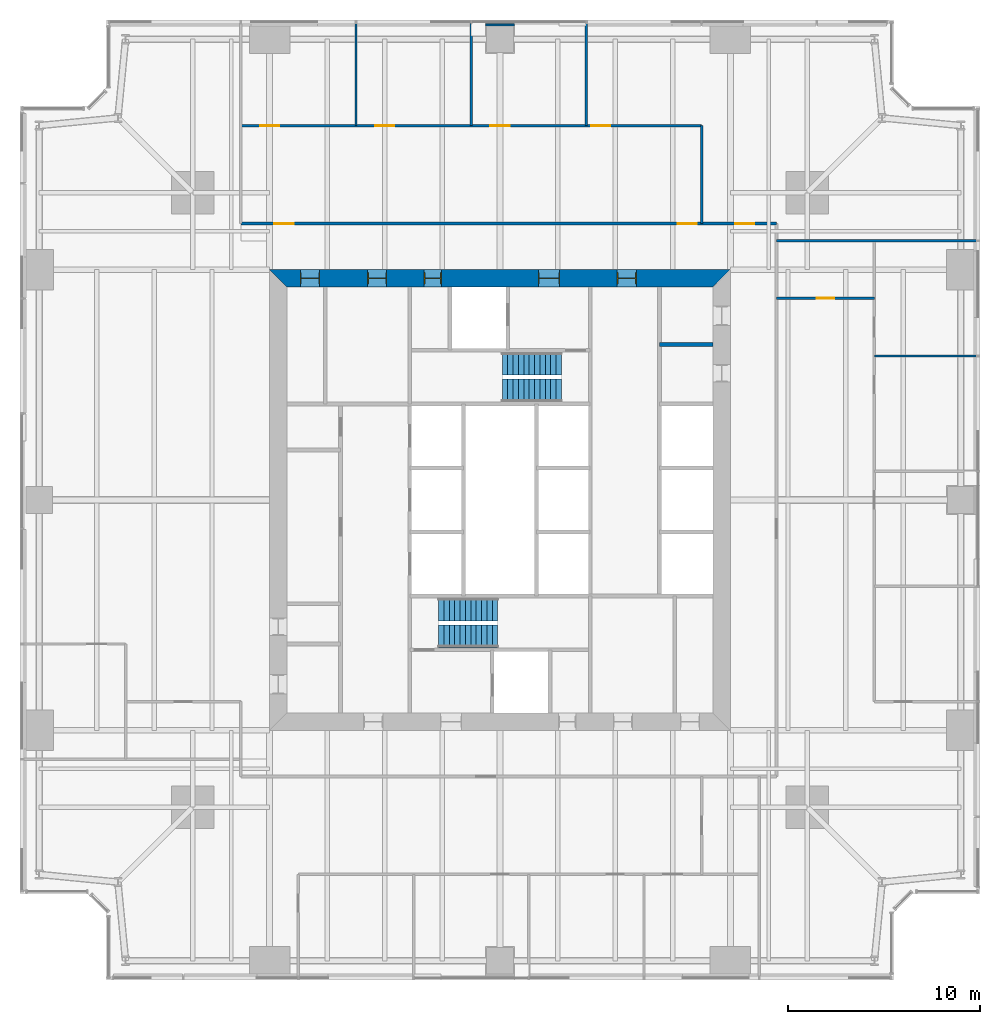
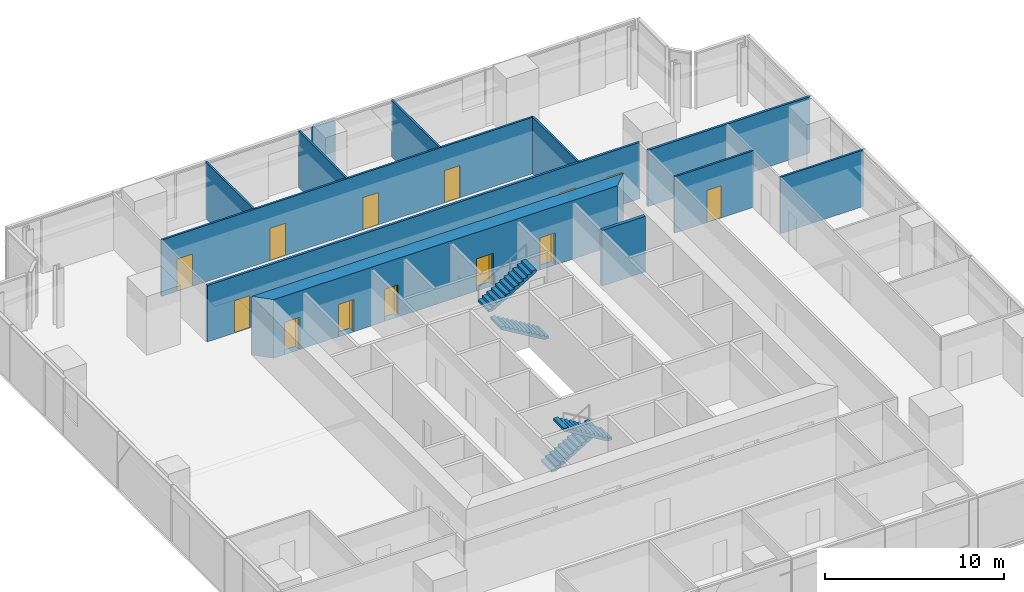
# One storey, part 11 of 13: 13 doors, 12 walls, 4 stair flights, 13 openings, 2 elements without a shape of their own.
"""IFC4 building model written with IfcOpenShell, lengths in metres."""

from ifc_helpers import new_model, si_unit, direction, frame, frame_2d, origin, place, context, subcontext, project, spatial, polyline, rectangle, outline, extrude, material, layer, layer_set, type_object, element, fill, aggregate, save


model = new_model("IFC4")

# Units and contexts
model_context = context("Model", 3, precision=1e-05, world=origin(), true_north=direction((0.0, 1.0)))
body_context = subcontext(model_context, "Body", "Model", "MODEL_VIEW")
ifc_project = project(units=[si_unit("LENGTHUNIT", "METRE"), si_unit("AREAUNIT", "SQUARE_METRE"), si_unit("VOLUMEUNIT", "CUBIC_METRE"), si_unit("PLANEANGLEUNIT", "RADIAN"), si_unit("MASSUNIT", "GRAM", prefix="KILO")], contexts=[model_context])

# Site, building, storey
site_placement = place(None, origin())
site = spatial("IfcSite", under=ifc_project, at=site_placement, CompositionType="ELEMENT")
building_placement = place(site_placement, origin())
building = spatial("IfcBuilding", under=site, at=building_placement, Name="Fenwick Lantern Interchange", CompositionType="ELEMENT")
storey_placement = place(building_placement, frame((0.0, 0.0, 102.39990234375)))
storey = spatial("IfcBuildingStorey", under=building, at=storey_placement, Name="L23", CompositionType="ELEMENT", Elevation=102.39990234375)

# Walls
ifc_material_1 = material(Name="Fire-rated gypsum board encasement on steel studs, 2 hour", Category="steel")
ifc_layer_1 = layer(ifc_material_1, 1.5)
ifc_layer_set_1 = layer_set([ifc_layer_1], Name="COLUMN PIER 1500")
wall_type_1 = type_object("IfcWallType", Name="COLUMN PIER 1500", PredefinedType="PARTITIONING", material=ifc_layer_set_1)
wall_1_placement = place(storey_placement, frame((25.0, 49.800048828125, 0.0), z_axis=(0.0, 0.0, 1.0), x_axis=(0.0, -1.0, 0.0)))
element("IfcWall", 1, at=wall_1_placement, inside=storey, type_object=wall_type_1, Name="L23/W/PIER/CN3", PredefinedType="PARTITIONING", context=body_context, shape_type="SweptSolid", body=[
    extrude(rectangle(XDim=0.10009765625, YDim=1.5, at=frame_2d((0.050048828125, 0.0))), origin(), (0.0, 0.0, 1.0), 3.85009765625),
])
ifc_material_2 = material(Name="Concrete masonry ASTM C90 Grade N", Category="masonry")
ifc_layer_2 = layer(ifc_material_2, 0.199951171875)
ifc_layer_set_2 = layer_set([ifc_layer_2], Name="Concrete masonry ASTM C90 Grade N")
wall_type_2 = type_object("IfcWallType", Name="CORE PARTITION 200", PredefinedType="PARTITIONING", material=ifc_layer_set_2)
wall_2_placement = place(storey_placement, frame((36.10009765625, 33.10009765625, 0.0), z_axis=(0.0, 0.0, 1.0), x_axis=(-1.0, 0.0, 0.0)))
element("IfcWall", 2, at=wall_2_placement, inside=storey, type_object=wall_type_2, Name="L23/W/COREN/p1", PredefinedType="PARTITIONING", context=body_context, shape_type="SweptSolid", body=[
    extrude(rectangle(XDim=2.800048828125, YDim=0.199951171875, at=frame_2d((1.39990234375, 0.0))), origin(), (0.0, 0.0, 1.0), 3.800048828125),
])

# Wall, openings, doors
ifc_material_3 = material(Name="Concrete f'c 70 MPa", Category="concrete")
ifc_layer_3 = layer(ifc_material_3, 0.89990234375)
ifc_layer_set_3 = layer_set([ifc_layer_3], Name="CORE WALL 900")
wall_type_3 = type_object("IfcWallType", Name="CORE WALL 900", PredefinedType="SHEAR", material=ifc_layer_set_3)
wall_3_placement = place(storey_placement, frame((37.0, 36.550048828125, 0.0), z_axis=(0.0, 0.0, 1.0), x_axis=(-1.0, 0.0, 0.0)))
wall_3 = element("IfcWall", 3, at=wall_3_placement, inside=storey, type_object=wall_type_3, Name="L23/CORE/N", PredefinedType="SHEAR", context=body_context, shape_type="SweptSolid", body=[
    extrude(outline(polyline([(0.0, -0.449951171875), (24.0, -0.449951171875), (23.10009765625, 0.449951171875), (0.89990234375, 0.449951171875), (0.0, -0.449951171875)])), origin(), (0.0, 0.0, 1.0), 4.0),
])
opening_1_placement = place(wall_3_placement, frame((4.89990234375, 0.0, 0.0)))
opening_1 = element("IfcOpeningElement", 4, at=opening_1_placement, cuts=wall_3, Name="Opening L23-D011", PredefinedType="OPENING", context=body_context, shape_type="SweptSolid", body=[
    extrude(rectangle(XDim=1.0, YDim=2.199951171875, at=frame_2d((0.5, 1.10009765625))), frame((0.0, 0.4599609375, 0.0), z_axis=(0.0, -1.0, 0.0), x_axis=(1.0, 0.0, 0.0)), (0.0, 0.0, 1.0), 0.919921875),
])
opening_2_placement = place(wall_3_placement, frame((8.89990234375, 0.0, 0.0)))
opening_2 = element("IfcOpeningElement", 5, at=opening_2_placement, cuts=wall_3, Name="Opening L23-D012", PredefinedType="OPENING", context=body_context, shape_type="SweptSolid", body=[
    extrude(rectangle(XDim=1.10009765625, YDim=2.199951171875, at=frame_2d((0.550048828125, 1.10009765625))), frame((0.0, 0.4599609375, 0.0), z_axis=(0.0, -1.0, 0.0), x_axis=(1.0, 0.0, 0.0)), (0.0, 0.0, 1.0), 0.919921875),
])
opening_3_placement = place(wall_3_placement, frame((15.050048828125, 0.0, 0.0)))
opening_3 = element("IfcOpeningElement", 6, at=opening_3_placement, cuts=wall_3, Name="Opening L23-D014", PredefinedType="OPENING", context=body_context, shape_type="SweptSolid", body=[
    extrude(rectangle(XDim=0.89990234375, YDim=2.199951171875, at=frame_2d((0.449951171875, 1.10009765625))), frame((0.0, 0.4599609375, 0.0), z_axis=(0.0, -1.0, 0.0), x_axis=(1.0, 0.0, 0.0)), (0.0, 0.0, 1.0), 0.919921875),
])
opening_4_placement = place(wall_3_placement, frame((17.89990234375, 0.0, 0.0)))
opening_4 = element("IfcOpeningElement", 7, at=opening_4_placement, cuts=wall_3, Name="Opening L23-D015", PredefinedType="OPENING", context=body_context, shape_type="SweptSolid", body=[
    extrude(rectangle(XDim=1.0, YDim=2.199951171875, at=frame_2d((0.5, 1.10009765625))), frame((0.0, 0.4599609375, 0.0), z_axis=(0.0, -1.0, 0.0), x_axis=(1.0, 0.0, 0.0)), (0.0, 0.0, 1.0), 0.919921875),
])
opening_5_placement = place(wall_3_placement, frame((21.39990234375, 0.0, 0.0)))
opening_5 = element("IfcOpeningElement", 8, at=opening_5_placement, cuts=wall_3, Name="Opening L23-D016", PredefinedType="OPENING", context=body_context, shape_type="SweptSolid", body=[
    extrude(rectangle(XDim=1.0, YDim=2.199951171875, at=frame_2d((0.5, 1.10009765625))), frame((0.0, 0.4599609375, 0.0), z_axis=(0.0, -1.0, 0.0), x_axis=(1.0, 0.0, 0.0)), (0.0, 0.0, 1.0), 0.919921875),
])
ifc_material_4 = material(Name="Steel door and frame", Category="steel")
door_type_1 = type_object("IfcDoorType", Name="CORE LOBBY DOOR 1000 X 2200", OperationType="SINGLE_SWING_LEFT", PredefinedType="DOOR", material=ifc_material_4)
door_1_placement = place(opening_1_placement, origin())
door_1 = element("IfcDoor", 9, at=door_1_placement, inside=storey, type_object=door_type_1, Name="Core lobby door", OperationType="SINGLE_SWING_LEFT", OverallHeight=2.199951171875, OverallWidth=1.0, PredefinedType="DOOR", context=body_context, shape_type="SweptSolid", body=[
    extrude(rectangle(XDim=1.0, YDim=2.199951171875, at=frame_2d((0.5, 1.10009765625))), frame((0.0, 0.02490234375, 0.0), z_axis=(0.0, -1.0, 0.0), x_axis=(1.0, 0.0, 0.0)), (0.0, 0.0, 1.0), 0.050048828125),
    extrude(outline(polyline([(0.0, 0.0), (0.0400390625, 0.0), (0.0400390625, 2.159912109375), (0.9599609375, 2.159912109375), (0.9599609375, 0.0), (1.0, 0.0), (1.0, 2.199951171875), (0.0, 2.199951171875), (0.0, 0.0)])), frame((0.0, 0.300048828125, 0.0), z_axis=(0.0, -1.0, 0.0), x_axis=(1.0, 0.0, 0.0)), (0.0, 0.0, 1.0), 0.60009765625),
])
fill(opening_1, door_1)
door_type_2 = type_object("IfcDoorType", Name="FIRE LOBBY DOOR 1100 X 2200", OperationType="SINGLE_SWING_LEFT", PredefinedType="DOOR", material=ifc_material_4)
door_2_placement = place(opening_2_placement, origin())
door_2 = element("IfcDoor", 10, at=door_2_placement, inside=storey, type_object=door_type_2, Name="Fire lobby door", OperationType="SINGLE_SWING_LEFT", OverallHeight=2.199951171875, OverallWidth=1.10009765625, PredefinedType="DOOR", context=body_context, shape_type="SweptSolid", body=[
    extrude(rectangle(XDim=1.10009765625, YDim=2.199951171875, at=frame_2d((0.550048828125, 1.10009765625))), frame((0.0, 0.02490234375, 0.0), z_axis=(0.0, -1.0, 0.0), x_axis=(1.0, 0.0, 0.0)), (0.0, 0.0, 1.0), 0.050048828125),
    extrude(outline(polyline([(0.0, 0.0), (0.0400390625, 0.0), (0.0400390625, 2.159912109375), (1.06005859375, 2.159912109375), (1.06005859375, 0.0), (1.10009765625, 0.0), (1.10009765625, 2.199951171875), (0.0, 2.199951171875), (0.0, 0.0)])), frame((0.0, 0.300048828125, 0.0), z_axis=(0.0, -1.0, 0.0), x_axis=(1.0, 0.0, 0.0)), (0.0, 0.0, 1.0), 0.60009765625),
])
fill(opening_2, door_2)
door_type_3 = type_object("IfcDoorType", Name="SERVICE DOOR 900 X 2200", OperationType="SINGLE_SWING_LEFT", PredefinedType="DOOR", material=ifc_material_4)
door_3_placement = place(opening_3_placement, origin())
door_3 = element("IfcDoor", 11, at=door_3_placement, inside=storey, type_object=door_type_3, Name="Service door", OperationType="SINGLE_SWING_LEFT", OverallHeight=2.199951171875, OverallWidth=0.89990234375, PredefinedType="DOOR", context=body_context, shape_type="SweptSolid", body=[
    extrude(rectangle(XDim=0.89990234375, YDim=2.199951171875, at=frame_2d((0.449951171875, 1.10009765625))), frame((0.0, 0.02490234375, 0.0), z_axis=(0.0, -1.0, 0.0), x_axis=(1.0, 0.0, 0.0)), (0.0, 0.0, 1.0), 0.050048828125),
    extrude(outline(polyline([(0.0, 0.0), (0.0400390625, 0.0), (0.0400390625, 2.159912109375), (0.85986328125, 2.159912109375), (0.85986328125, 0.0), (0.89990234375, 0.0), (0.89990234375, 2.199951171875), (0.0, 2.199951171875), (0.0, 0.0)])), frame((0.0, 0.300048828125, 0.0), z_axis=(0.0, -1.0, 0.0), x_axis=(1.0, 0.0, 0.0)), (0.0, 0.0, 1.0), 0.60009765625),
])
fill(opening_3, door_3)
ifc_material_5 = material(Name="Hardwood door and steel frame", Category="steel")
door_type_4 = type_object("IfcDoorType", Name="WC DOOR 1000 X 2200", OperationType="SINGLE_SWING_LEFT", PredefinedType="DOOR", material=ifc_material_5)
door_4_placement = place(opening_4_placement, origin())
door_4 = element("IfcDoor", 12, at=door_4_placement, inside=storey, type_object=door_type_4, Name="Wc door", OperationType="SINGLE_SWING_LEFT", OverallHeight=2.199951171875, OverallWidth=1.0, PredefinedType="DOOR", context=body_context, shape_type="SweptSolid", body=[
    extrude(rectangle(XDim=1.0, YDim=2.199951171875, at=frame_2d((0.5, 1.10009765625))), frame((0.0, 0.02490234375, 0.0), z_axis=(0.0, -1.0, 0.0), x_axis=(1.0, 0.0, 0.0)), (0.0, 0.0, 1.0), 0.050048828125),
    extrude(outline(polyline([(0.0, 0.0), (0.0400390625, 0.0), (0.0400390625, 2.159912109375), (0.9599609375, 2.159912109375), (0.9599609375, 0.0), (1.0, 0.0), (1.0, 2.199951171875), (0.0, 2.199951171875), (0.0, 0.0)])), frame((0.0, 0.300048828125, 0.0), z_axis=(0.0, -1.0, 0.0), x_axis=(1.0, 0.0, 0.0)), (0.0, 0.0, 1.0), 0.60009765625),
])
fill(opening_4, door_4)
door_5_placement = place(opening_5_placement, origin())
door_5 = element("IfcDoor", 13, at=door_5_placement, inside=storey, type_object=door_type_4, Name="Wc door", OperationType="SINGLE_SWING_LEFT", OverallHeight=2.199951171875, OverallWidth=1.0, PredefinedType="DOOR", context=body_context, shape_type="SweptSolid", body=[
    extrude(rectangle(XDim=1.0, YDim=2.199951171875, at=frame_2d((0.5, 1.10009765625))), frame((0.0, 0.02490234375, 0.0), z_axis=(0.0, -1.0, 0.0), x_axis=(1.0, 0.0, 0.0)), (0.0, 0.0, 1.0), 0.050048828125),
    extrude(outline(polyline([(0.0, 0.0), (0.0400390625, 0.0), (0.0400390625, 2.159912109375), (0.9599609375, 2.159912109375), (0.9599609375, 0.0), (1.0, 0.0), (1.0, 2.199951171875), (0.0, 2.199951171875), (0.0, 0.0)])), frame((0.0, 0.300048828125, 0.0), z_axis=(0.0, -1.0, 0.0), x_axis=(1.0, 0.0, 0.0)), (0.0, 0.0, 1.0), 0.60009765625),
])
fill(opening_5, door_5)

ifc_material_6 = material(Name="Gypsum board on steel studs, 1 hour", Category="steel")
ifc_layer_4 = layer(ifc_material_6, 0.14990234375)
ifc_layer_set_4 = layer_set([ifc_layer_4], Name="CORRIDOR WALL 150")
wall_type_4 = type_object("IfcWallType", Name="CORRIDOR WALL 150", PredefinedType="PARTITIONING", material=ifc_layer_set_4)
wall_4_placement = place(storey_placement, frame((39.39990234375, 39.39990234375, 0.0), z_axis=(0.0, 0.0, 1.0), x_axis=(-1.0, 0.0, 0.0)))
wall_4 = element("IfcWall", 14, at=wall_4_placement, inside=storey, type_object=wall_type_4, Name="L23/W/OFF/N/CW2", PredefinedType="PARTITIONING", context=body_context, shape_type="SweptSolid", body=[
    extrude(rectangle(XDim=27.89990234375, YDim=0.14990234375, at=frame_2d((13.949951171875, 0.0))), origin(), (0.0, 0.0, 1.0), 3.85009765625),
])
opening_6_placement = place(wall_4_placement, frame((4.14990234375, 0.0, 0.0)))
opening_6 = element("IfcOpeningElement", 15, at=opening_6_placement, cuts=wall_4, Name="Opening L23-D031", PredefinedType="OPENING", context=body_context, shape_type="SweptSolid", body=[
    extrude(rectangle(XDim=1.0, YDim=2.199951171875, at=frame_2d((0.5, 1.10009765625))), frame((0.0, 0.0849609375, 0.0), z_axis=(0.0, -1.0, 0.0), x_axis=(1.0, 0.0, 0.0)), (0.0, 0.0, 1.0), 0.169921875),
])
opening_7_placement = place(wall_4_placement, frame((25.14990234375, 0.0, 0.0)))
opening_7 = element("IfcOpeningElement", 16, at=opening_7_placement, cuts=wall_4, Name="Opening L23-D032", PredefinedType="OPENING", context=body_context, shape_type="SweptSolid", body=[
    extrude(rectangle(XDim=1.0, YDim=2.199951171875, at=frame_2d((0.5, 1.10009765625))), frame((0.0, 0.0849609375, 0.0), z_axis=(0.0, -1.0, 0.0), x_axis=(1.0, 0.0, 0.0)), (0.0, 0.0, 1.0), 0.169921875),
])
opening_8_placement = place(wall_4_placement, frame((1.14990234375, 0.0, 0.0)))
opening_8 = element("IfcOpeningElement", 17, at=opening_8_placement, cuts=wall_4, Name="Opening L23-D034", PredefinedType="OPENING", context=body_context, shape_type="SweptSolid", body=[
    extrude(rectangle(XDim=1.0, YDim=2.199951171875, at=frame_2d((0.5, 1.10009765625))), frame((0.0, 0.0849609375, 0.0), z_axis=(0.0, -1.0, 0.0), x_axis=(1.0, 0.0, 0.0)), (0.0, 0.0, 1.0), 0.169921875),
])
door_type_5 = type_object("IfcDoorType", Name="MEETING ROOM DOOR 1000 X 2200", OperationType="SINGLE_SWING_LEFT", PredefinedType="DOOR", material=ifc_material_5)
door_6_placement = place(opening_8_placement, origin())
door_6 = element("IfcDoor", 18, at=door_6_placement, inside=storey, type_object=door_type_5, Name="Meeting room door", OperationType="SINGLE_SWING_LEFT", OverallHeight=2.199951171875, OverallWidth=1.0, PredefinedType="DOOR", context=body_context, shape_type="SweptSolid", body=[
    extrude(rectangle(XDim=1.0, YDim=2.199951171875, at=frame_2d((0.5, 1.10009765625))), frame((0.0, 0.02490234375, 0.0), z_axis=(0.0, -1.0, 0.0), x_axis=(1.0, 0.0, 0.0)), (0.0, 0.0, 1.0), 0.050048828125),
])
fill(opening_8, door_6)
door_type_6 = type_object("IfcDoorType", Name="SUITE ENTRANCE DOOR 1000 X 2200", OperationType="SINGLE_SWING_LEFT", PredefinedType="DOOR", material=ifc_material_4)
door_7_placement = place(opening_6_placement, origin())
door_7 = element("IfcDoor", 19, at=door_7_placement, inside=storey, type_object=door_type_6, Name="Suite entrance door", OperationType="SINGLE_SWING_LEFT", OverallHeight=2.199951171875, OverallWidth=1.0, PredefinedType="DOOR", context=body_context, shape_type="SweptSolid", body=[
    extrude(rectangle(XDim=1.0, YDim=2.199951171875, at=frame_2d((0.5, 1.10009765625))), frame((0.0, 0.02490234375, 0.0), z_axis=(0.0, -1.0, 0.0), x_axis=(1.0, 0.0, 0.0)), (0.0, 0.0, 1.0), 0.050048828125),
])
fill(opening_6, door_7)
door_8_placement = place(opening_7_placement, origin())
door_8 = element("IfcDoor", 20, at=door_8_placement, inside=storey, type_object=door_type_6, Name="Suite entrance door", OperationType="SINGLE_SWING_RIGHT", OverallHeight=2.199951171875, OverallWidth=1.0, PredefinedType="DOOR", context=body_context, shape_type="SweptSolid", body=[
    extrude(rectangle(XDim=1.0, YDim=2.199951171875, at=frame_2d((0.5, 1.10009765625))), frame((0.0, 0.02490234375, 0.0), z_axis=(0.0, -1.0, 0.0), x_axis=(1.0, 0.0, 0.0)), (0.0, 0.0, 1.0), 0.050048828125),
])
fill(opening_7, door_8)

# Wall
ifc_material_7 = material(Name="Gypsum board on steel studs, acoustic", Category="steel")
ifc_layer_5 = layer(ifc_material_7, 0.125)
ifc_layer_set_5 = layer_set([ifc_layer_5], Name="OFFICE PARTITION 125")
wall_type_5 = type_object("IfcWallType", Name="OFFICE PARTITION 125", PredefinedType="PARTITIONING", material=ifc_layer_set_5)
wall_5_placement = place(storey_placement, frame((49.85009765625, 32.5, 0.0), z_axis=(0.0, 0.0, 1.0), x_axis=(-1.0, 0.0, 0.0)))
element("IfcWall", 21, at=wall_5_placement, inside=storey, type_object=wall_type_5, Name="L23/W/OFF/E/X325-1", PredefinedType="PARTITIONING", context=body_context, shape_type="SweptSolid", body=[
    extrude(rectangle(XDim=5.35009765625, YDim=0.125, at=frame_2d((2.675048828125, 0.0))), origin(), (0.0, 0.0, 1.0), 3.85009765625),
])

# Wall, opening, door
wall_6_placement = place(storey_placement, frame((44.5, 35.5, 0.0), z_axis=(0.0, 0.0, 1.0), x_axis=(-1.0, 0.0, 0.0)))
wall_6 = element("IfcWall", 22, at=wall_6_placement, inside=storey, type_object=wall_type_5, Name="L23/W/OFF/E/X355-1", PredefinedType="PARTITIONING", context=body_context, shape_type="SweptSolid", body=[
    extrude(rectangle(XDim=5.10009765625, YDim=0.125, at=frame_2d((2.550048828125, 0.0))), origin(), (0.0, 0.0, 1.0), 3.85009765625),
])
opening_9_placement = place(wall_6_placement, frame((2.10009765625, 0.0, 0.0)))
opening_9 = element("IfcOpeningElement", 23, at=opening_9_placement, cuts=wall_6, Name="Opening L23-D030", PredefinedType="OPENING", context=body_context, shape_type="SweptSolid", body=[
    extrude(rectangle(XDim=0.89990234375, YDim=2.199951171875, at=frame_2d((0.449951171875, 1.10009765625))), frame((0.0, 0.072509765625, 0.0), z_axis=(0.0, -1.0, 0.0), x_axis=(1.0, 0.0, 0.0)), (0.0, 0.0, 1.0), 0.14501953125),
])
door_type_7 = type_object("IfcDoorType", Name="OFFICE DOOR 900 X 2200", OperationType="SINGLE_SWING_LEFT", PredefinedType="DOOR", material=ifc_material_5)
door_9_placement = place(opening_9_placement, frame((0.89990234375, 0.0, 0.0), z_axis=(0.0, 0.0, 1.0), x_axis=(-1.0, 0.0, 0.0)))
door_9 = element("IfcDoor", 24, at=door_9_placement, inside=storey, type_object=door_type_7, Name="Office door", OperationType="SINGLE_SWING_RIGHT", OverallHeight=2.199951171875, OverallWidth=0.89990234375, PredefinedType="DOOR", context=body_context, shape_type="SweptSolid", body=[
    extrude(rectangle(XDim=0.89990234375, YDim=2.199951171875, at=frame_2d((0.449951171875, 1.10009765625))), frame((0.0, 0.02490234375, 0.0), z_axis=(0.0, -1.0, 0.0), x_axis=(1.0, 0.0, 0.0)), (0.0, 0.0, 1.0), 0.050048828125),
])
fill(opening_9, door_9)

# Walls
wall_7_placement = place(storey_placement, frame((35.5, 44.5, 0.0), z_axis=(0.0, 0.0, 1.0), x_axis=(0.0, -1.0, 0.0)))
element("IfcWall", 25, at=wall_7_placement, inside=storey, type_object=wall_type_5, Name="L23/W/OFF/N/X145-1", PredefinedType="PARTITIONING", context=body_context, shape_type="SweptSolid", body=[
    extrude(rectangle(XDim=5.10009765625, YDim=0.125, at=frame_2d((2.550048828125, 0.0))), origin(), (0.0, 0.0, 1.0), 3.85009765625),
])
for number, where, z_axis, x_axis, name in (
    (26, (29.5, 49.85009765625, 0.0), (0.0, 0.0, 1.0), (0.0, -1.0, 0.0), "L23/W/OFF/N/X205-1"),
    (27, (23.5, 49.85009765625, 0.0), (0.0, 0.0, 1.0), (0.0, -1.0, 0.0), "L23/W/OFF/N/X265-1"),
    (28, (17.5, 49.85009765625, 0.0), (0.0, 0.0, 1.0), (0.0, -1.0, 0.0), "L23/W/OFF/N/X325-1"),
):
    element("IfcWall", number, at=place(storey_placement, frame(where, z_axis=z_axis, x_axis=x_axis)), inside=storey, type_object=wall_type_5, Name=name, PredefinedType="PARTITIONING", context=body_context, shape_type="SweptSolid", body=[
        extrude(rectangle(XDim=5.35009765625, YDim=0.125, at=frame_2d((2.675048828125, 0.0))), origin(), (0.0, 0.0, 1.0), 3.85009765625),
    ])

# Wall, openings, doors
wall_8_placement = place(storey_placement, frame((35.5, 44.5, 0.0), z_axis=(0.0, 0.0, 1.0), x_axis=(-1.0, 0.0, 0.0)))
wall_8 = element("IfcWall", 29, at=wall_8_placement, inside=storey, type_object=wall_type_5, Name="L23/W/OFF/N/Y55-1", PredefinedType="PARTITIONING", context=body_context, shape_type="SweptSolid", body=[
    extrude(rectangle(XDim=24.0, YDim=0.125, at=frame_2d((12.0, 0.0))), origin(), (0.0, 0.0, 1.0), 3.85009765625),
])
opening_10_placement = place(wall_8_placement, frame((4.75, 0.0, 0.0)))
opening_10 = element("IfcOpeningElement", 30, at=opening_10_placement, cuts=wall_8, Name="Opening L23-D033", PredefinedType="OPENING", context=body_context, shape_type="SweptSolid", body=[
    extrude(rectangle(XDim=1.0, YDim=2.199951171875, at=frame_2d((0.5, 1.10009765625))), frame((0.0, 0.072509765625, 0.0), z_axis=(0.0, -1.0, 0.0), x_axis=(1.0, 0.0, 0.0)), (0.0, 0.0, 1.0), 0.14501953125),
])
opening_11_placement = place(wall_8_placement, frame((10.0, 0.0, 0.0)))
opening_11 = element("IfcOpeningElement", 31, at=opening_11_placement, cuts=wall_8, Name="Opening L23-D035", PredefinedType="OPENING", context=body_context, shape_type="SweptSolid", body=[
    extrude(rectangle(XDim=1.0, YDim=2.199951171875, at=frame_2d((0.5, 1.10009765625))), frame((0.0, 0.072509765625, 0.0), z_axis=(0.0, -1.0, 0.0), x_axis=(1.0, 0.0, 0.0)), (0.0, 0.0, 1.0), 0.14501953125),
])
opening_12_placement = place(wall_8_placement, frame((16.0, 0.0, 0.0)))
opening_12 = element("IfcOpeningElement", 32, at=opening_12_placement, cuts=wall_8, Name="Opening L23-D036", PredefinedType="OPENING", context=body_context, shape_type="SweptSolid", body=[
    extrude(rectangle(XDim=1.0, YDim=2.199951171875, at=frame_2d((0.5, 1.10009765625))), frame((0.0, 0.072509765625, 0.0), z_axis=(0.0, -1.0, 0.0), x_axis=(1.0, 0.0, 0.0)), (0.0, 0.0, 1.0), 0.14501953125),
])
opening_13_placement = place(wall_8_placement, frame((22.0, 0.0, 0.0)))
opening_13 = element("IfcOpeningElement", 33, at=opening_13_placement, cuts=wall_8, Name="Opening L23-D037", PredefinedType="OPENING", context=body_context, shape_type="SweptSolid", body=[
    extrude(rectangle(XDim=1.0, YDim=2.199951171875, at=frame_2d((0.5, 1.10009765625))), frame((0.0, 0.072509765625, 0.0), z_axis=(0.0, -1.0, 0.0), x_axis=(1.0, 0.0, 0.0)), (0.0, 0.0, 1.0), 0.14501953125),
])
door_10_placement = place(opening_10_placement, origin())
door_10 = element("IfcDoor", 34, at=door_10_placement, inside=storey, type_object=door_type_5, Name="Meeting room door", OperationType="SINGLE_SWING_LEFT", OverallHeight=2.199951171875, OverallWidth=1.0, PredefinedType="DOOR", context=body_context, shape_type="SweptSolid", body=[
    extrude(rectangle(XDim=1.0, YDim=2.199951171875, at=frame_2d((0.5, 1.10009765625))), frame((0.0, 0.02490234375, 0.0), z_axis=(0.0, -1.0, 0.0), x_axis=(1.0, 0.0, 0.0)), (0.0, 0.0, 1.0), 0.050048828125),
])
fill(opening_10, door_10)
door_11_placement = place(opening_11_placement, frame((1.0, 0.0, 0.0), z_axis=(0.0, 0.0, 1.0), x_axis=(-1.0, 0.0, 0.0)))
door_11 = element("IfcDoor", 35, at=door_11_placement, inside=storey, type_object=door_type_5, Name="Meeting room door", OperationType="SINGLE_SWING_LEFT", OverallHeight=2.199951171875, OverallWidth=1.0, PredefinedType="DOOR", context=body_context, shape_type="SweptSolid", body=[
    extrude(rectangle(XDim=1.0, YDim=2.199951171875, at=frame_2d((0.5, 1.10009765625))), frame((0.0, 0.02490234375, 0.0), z_axis=(0.0, -1.0, 0.0), x_axis=(1.0, 0.0, 0.0)), (0.0, 0.0, 1.0), 0.050048828125),
])
fill(opening_11, door_11)
door_12_placement = place(opening_12_placement, frame((1.0, 0.0, 0.0), z_axis=(0.0, 0.0, 1.0), x_axis=(-1.0, 0.0, 0.0)))
door_12 = element("IfcDoor", 36, at=door_12_placement, inside=storey, type_object=door_type_5, Name="Meeting room door", OperationType="SINGLE_SWING_LEFT", OverallHeight=2.199951171875, OverallWidth=1.0, PredefinedType="DOOR", context=body_context, shape_type="SweptSolid", body=[
    extrude(rectangle(XDim=1.0, YDim=2.199951171875, at=frame_2d((0.5, 1.10009765625))), frame((0.0, 0.02490234375, 0.0), z_axis=(0.0, -1.0, 0.0), x_axis=(1.0, 0.0, 0.0)), (0.0, 0.0, 1.0), 0.050048828125),
])
fill(opening_12, door_12)
door_13_placement = place(opening_13_placement, frame((1.0, 0.0, 0.0), z_axis=(0.0, 0.0, 1.0), x_axis=(-1.0, 0.0, 0.0)))
door_13 = element("IfcDoor", 37, at=door_13_placement, inside=storey, type_object=door_type_5, Name="Meeting room door", OperationType="SINGLE_SWING_LEFT", OverallHeight=2.199951171875, OverallWidth=1.0, PredefinedType="DOOR", context=body_context, shape_type="SweptSolid", body=[
    extrude(rectangle(XDim=1.0, YDim=2.199951171875, at=frame_2d((0.5, 1.10009765625))), frame((0.0, 0.02490234375, 0.0), z_axis=(0.0, -1.0, 0.0), x_axis=(1.0, 0.0, 0.0)), (0.0, 0.0, 1.0), 0.050048828125),
])
fill(opening_13, door_13)

# Wall
ifc_material_8 = material(Name="Gypsum board on steel studs, 1 hour acoustic", Category="steel")
ifc_layer_6 = layer(ifc_material_8, 0.14990234375)
ifc_layer_set_6 = layer_set([ifc_layer_6], Name="TENANT WALL 150")
wall_type_6 = type_object("IfcWallType", Name="TENANT WALL 150", PredefinedType="PARTITIONING", material=ifc_layer_set_6)
wall_9_placement = place(storey_placement, frame((49.85009765625, 38.5, 0.0), z_axis=(0.0, 0.0, 1.0), x_axis=(-1.0, 0.0, 0.0)))
element("IfcWall", 38, at=wall_9_placement, inside=storey, type_object=wall_type_6, Name="L23/W/OFF/N/BACK", PredefinedType="PARTITIONING", context=body_context, shape_type="SweptSolid", body=[
    extrude(rectangle(XDim=10.4501953125, YDim=0.14990234375, at=frame_2d((5.22509765625, 0.0))), origin(), (0.0, 0.0, 1.0), 3.85009765625),
])

# Stair, stair flights
ifc_material_9 = material(Name="Precast concrete f'c 35 MPa", Category="concrete")
stair_type = type_object("IfcStairType", Name="EXIT STAIR 1200", PredefinedType="HALF_TURN_STAIR", material=ifc_material_9)
stair_1_placement = place(storey_placement, origin())
stair_1 = element("IfcStair", 39, at=stair_1_placement, inside=storey, type_object=stair_type, Name="Exit stair ST1", PredefinedType="HALF_TURN_STAIR")
stair_flight_type = type_object("IfcStairFlightType", Name="STAIR FLIGHT 1200", PredefinedType="STRAIGHT", material=ifc_material_9)
stair_flight_1_placement = place(storey_placement, frame((21.800048828125, 19.300048828125, 0.0), z_axis=(0.0, 0.0, 1.0), x_axis=(1.0, 0.0, 0.0)))
stair_flight_1 = element("IfcStairFlight", 40, at=stair_flight_1_placement, type_object=stair_flight_type, Name="ST1 flight 1", NumberOfRisers=12, NumberOfTreads=11, PredefinedType="STRAIGHT", RiserHeight=0.166666667, TreadLength=0.28, context=body_context, shape_type="SweptSolid", body=[
    extrude(outline(polyline([(0.0, 0.0), (0.0, 0.166748046875), (0.280029296875, 0.166748046875), (0.280029296875, 0.333251953125), (0.56005859375, 0.333251953125), (0.56005859375, 0.5), (0.840087890625, 0.5), (0.840087890625, 0.666748046875), (1.1201171875, 0.666748046875), (1.1201171875, 0.833251953125), (1.39990234375, 0.833251953125), (1.39990234375, 1.0), (1.679931640625, 1.0), (1.679931640625, 1.166748046875), (1.9599609375, 1.166748046875), (1.9599609375, 1.333251953125), (2.239990234375, 1.333251953125), (2.239990234375, 1.5), (2.52001953125, 1.5), (2.52001953125, 1.666748046875), (2.800048828125, 1.666748046875), (2.800048828125, 1.833251953125), (3.080078125, 1.833251953125), (3.080078125, 2.0), (3.080078125, 1.658935546875), (0.29296875, 0.0), (0.0, 0.0)])), frame((0.0, 0.60009765625, 0.0), z_axis=(0.0, -1.0, 0.0), x_axis=(1.0, 0.0, 0.0)), (0.0, 0.0, 1.0), 1.199951171875),
])
stair_flight_2_placement = place(storey_placement, frame((24.8798828125, 17.89990234375, 2.0), z_axis=(0.0, 0.0, 1.0), x_axis=(-1.0, 0.0, 0.0)))
stair_flight_2 = element("IfcStairFlight", 41, at=stair_flight_2_placement, type_object=stair_flight_type, Name="ST1 flight 2", NumberOfRisers=12, NumberOfTreads=11, PredefinedType="STRAIGHT", RiserHeight=0.166666667, TreadLength=0.28, context=body_context, shape_type="SweptSolid", body=[
    extrude(outline(polyline([(0.0, 0.0), (0.0, 0.166748046875), (0.280029296875, 0.166748046875), (0.280029296875, 0.333251953125), (0.56005859375, 0.333251953125), (0.56005859375, 0.5), (0.840087890625, 0.5), (0.840087890625, 0.666748046875), (1.1201171875, 0.666748046875), (1.1201171875, 0.833251953125), (1.39990234375, 0.833251953125), (1.39990234375, 1.0), (1.679931640625, 1.0), (1.679931640625, 1.166748046875), (1.9599609375, 1.166748046875), (1.9599609375, 1.333251953125), (2.239990234375, 1.333251953125), (2.239990234375, 1.5), (2.52001953125, 1.5), (2.52001953125, 1.666748046875), (2.800048828125, 1.666748046875), (2.800048828125, 1.833251953125), (3.080078125, 1.833251953125), (3.080078125, 2.0), (3.080078125, 1.658935546875), (0.29296875, 0.0), (0.0, 0.0)])), frame((0.0, 0.60009765625, 0.0), z_axis=(0.0, -1.0, 0.0), x_axis=(1.0, 0.0, 0.0)), (0.0, 0.0, 1.0), 1.199951171875),
])
aggregate(stair_1, [stair_flight_1, stair_flight_2])

stair_2_placement = place(storey_placement, origin())
stair_2 = element("IfcStair", 42, at=stair_2_placement, inside=storey, type_object=stair_type, Name="Exit stair ST2", PredefinedType="HALF_TURN_STAIR")
stair_flight_3_placement = place(storey_placement, frame((28.199951171875, 30.699951171875, 0.0), z_axis=(0.0, 0.0, 1.0), x_axis=(-1.0, 0.0, 0.0)))
stair_flight_3 = element("IfcStairFlight", 43, at=stair_flight_3_placement, type_object=stair_flight_type, Name="ST2 flight 1", NumberOfRisers=12, NumberOfTreads=11, PredefinedType="STRAIGHT", RiserHeight=0.166666667, TreadLength=0.28, context=body_context, shape_type="SweptSolid", body=[
    extrude(outline(polyline([(0.0, 0.0), (0.0, 0.166748046875), (0.280029296875, 0.166748046875), (0.280029296875, 0.333251953125), (0.56005859375, 0.333251953125), (0.56005859375, 0.5), (0.840087890625, 0.5), (0.840087890625, 0.666748046875), (1.1201171875, 0.666748046875), (1.1201171875, 0.833251953125), (1.39990234375, 0.833251953125), (1.39990234375, 1.0), (1.679931640625, 1.0), (1.679931640625, 1.166748046875), (1.9599609375, 1.166748046875), (1.9599609375, 1.333251953125), (2.239990234375, 1.333251953125), (2.239990234375, 1.5), (2.52001953125, 1.5), (2.52001953125, 1.666748046875), (2.800048828125, 1.666748046875), (2.800048828125, 1.833251953125), (3.080078125, 1.833251953125), (3.080078125, 2.0), (3.080078125, 1.658935546875), (0.29296875, 0.0), (0.0, 0.0)])), frame((0.0, 0.60009765625, 0.0), z_axis=(0.0, -1.0, 0.0), x_axis=(1.0, 0.0, 0.0)), (0.0, 0.0, 1.0), 1.199951171875),
])
stair_flight_4_placement = place(storey_placement, frame((25.1201171875, 32.10009765625, 2.0), z_axis=(0.0, 0.0, 1.0), x_axis=(1.0, 0.0, 0.0)))
stair_flight_4 = element("IfcStairFlight", 44, at=stair_flight_4_placement, type_object=stair_flight_type, Name="ST2 flight 2", NumberOfRisers=12, NumberOfTreads=11, PredefinedType="STRAIGHT", RiserHeight=0.166666667, TreadLength=0.28, context=body_context, shape_type="SweptSolid", body=[
    extrude(outline(polyline([(0.0, 0.0), (0.0, 0.166748046875), (0.280029296875, 0.166748046875), (0.280029296875, 0.333251953125), (0.56005859375, 0.333251953125), (0.56005859375, 0.5), (0.840087890625, 0.5), (0.840087890625, 0.666748046875), (1.1201171875, 0.666748046875), (1.1201171875, 0.833251953125), (1.39990234375, 0.833251953125), (1.39990234375, 1.0), (1.679931640625, 1.0), (1.679931640625, 1.166748046875), (1.9599609375, 1.166748046875), (1.9599609375, 1.333251953125), (2.239990234375, 1.333251953125), (2.239990234375, 1.5), (2.52001953125, 1.5), (2.52001953125, 1.666748046875), (2.800048828125, 1.666748046875), (2.800048828125, 1.833251953125), (3.080078125, 1.833251953125), (3.080078125, 2.0), (3.080078125, 1.658935546875), (0.29296875, 0.0), (0.0, 0.0)])), frame((0.0, 0.60009765625, 0.0), z_axis=(0.0, -1.0, 0.0), x_axis=(1.0, 0.0, 0.0)), (0.0, 0.0, 1.0), 1.199951171875),
])
aggregate(stair_2, [stair_flight_3, stair_flight_4])

save(model, "model.ifc")
